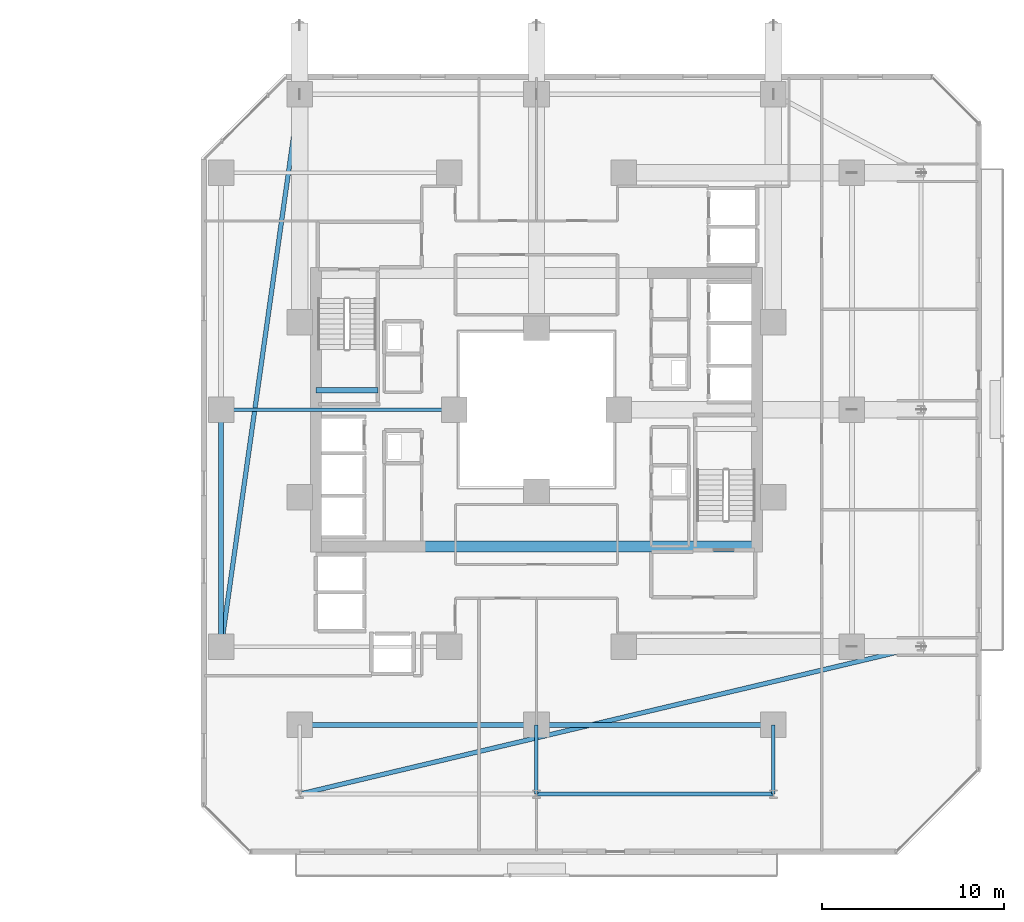
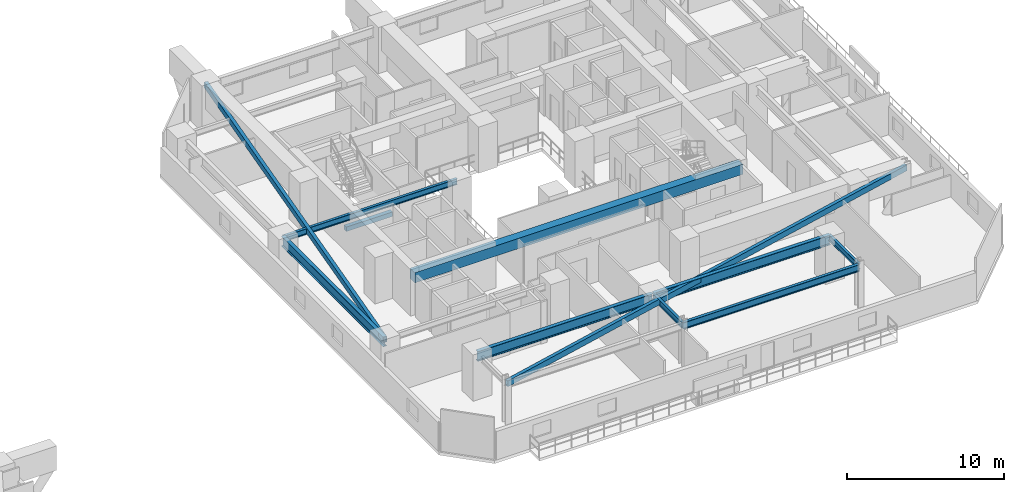
# One storey, part 11 of 36: 11 beams.
"""IFC4 building model written with IfcOpenShell, lengths in metres."""

from ifc_helpers import new_model, si_unit, direction, frame, origin, origin_2d, place, context, subcontext, project, spatial, rectangle, hollow_rectangle, i_section, extrude, material, material_profile, profile_set, type_object, element, save


model = new_model("IFC4")

# Units and contexts
model_context = context("Model", 3, precision=1e-05, world=origin(), true_north=direction((0.0, 1.0)))
body_context = subcontext(model_context, "Body", "Model", "MODEL_VIEW")
ifc_project = project(units=[si_unit("LENGTHUNIT", "METRE"), si_unit("AREAUNIT", "SQUARE_METRE"), si_unit("VOLUMEUNIT", "CUBIC_METRE"), si_unit("PLANEANGLEUNIT", "RADIAN"), si_unit("MASSUNIT", "GRAM", prefix="KILO")], contexts=[model_context])

# Site, building, storey
site_placement = place(None, origin())
site = spatial("IfcSite", under=ifc_project, at=site_placement, CompositionType="ELEMENT")
building_placement = place(site_placement, origin())
building = spatial("IfcBuilding", under=site, at=building_placement, Name="Thornwick Lancets Civic Towers", CompositionType="ELEMENT")
storey_placement = place(building_placement, frame((0.0, 0.0, 45.89990234375)))
storey = spatial("IfcBuildingStorey", under=building, at=storey_placement, Name="L11", CompositionType="ELEMENT", Elevation=45.89990234375)

# Beams
ifc_material_1 = material(Name="Concrete C60/75", Category="concrete")
ifc_material_profile_1 = material_profile(ifc_material_1, rectangle(XDim=0.60009765625, YDim=0.800048828125, at=origin_2d()), Name="RC 600x800")
ifc_profile_set_1 = profile_set([ifc_material_profile_1], Name="Concrete C60/75")
beam_type_1 = type_object("IfcBeamType", Name="BM_COUP_RC800", PredefinedType="BEAM", material=ifc_profile_set_1)
beam_1_placement = place(storey_placement, frame((76.39990234375, 19.5, 2.880126953125), z_axis=(1.0, 0.0, 0.0), x_axis=(0.0, 1.0, 0.0)))
element("IfcBeam", 1, at=beam_1_placement, inside=storey, type_object=beam_type_1, Name="CB-L11-B2", PredefinedType="BEAM", context=body_context, shape_type="SweptSolid", body=[
    extrude(rectangle(XDim=0.60009765625, YDim=0.800048828125, at=origin_2d()), origin(), (0.0, 0.0, 1.0), 24.2001953125),
])
ifc_material_2 = material(Name="Steel S355JR", Category="steel")
ifc_material_profile_2 = material_profile(ifc_material_2, i_section(OverallWidth=0.2119140625, OverallDepth=0.54443359375, WebThickness=0.0126953125, FlangeThickness=0.021240234375, FilletRadius=0.0126953125, at=origin_2d()), Name="UKB 533x210x122")
ifc_profile_set_2 = profile_set([ifc_material_profile_2], Name="Steel S355JR")
beam_type_2 = type_object("IfcBeamType", Name="BM_EDGE_533_122", PredefinedType="SPANDREL", material=ifc_profile_set_2)
beam_2_placement = place(storey_placement, frame((101.5, 5.89990234375, 3.0078125), z_axis=(-1.0, 0.0, 0.0), x_axis=(0.0, -1.0, 0.0)))
element("IfcBeam", 2, at=beam_2_placement, inside=storey, type_object=beam_type_2, Name="BM-EDGE-L11-B-S3-1", PredefinedType="SPANDREL", context=body_context, shape_type="SweptSolid", body=[
    extrude(i_section(OverallWidth=0.2119140625, OverallDepth=0.54443359375, WebThickness=0.0126953125, FlangeThickness=0.021240234375, FilletRadius=0.0126953125, at=origin_2d()), origin(), (0.0, 0.0, 1.0), 13.0),
])
ifc_material_profile_3 = material_profile(ifc_material_2, i_section(OverallWidth=0.26806640625, OverallDepth=0.769775390625, WebThickness=0.015625, FlangeThickness=0.025390625, FilletRadius=0.0166015625, at=origin_2d()), Name="UKB 762x267x197")
ifc_profile_set_3 = profile_set([ifc_material_profile_3], Name="Steel S355JR")
beam_type_3 = type_object("IfcBeamType", Name="BM_GIRD_762_197", PredefinedType="BEAM", material=ifc_profile_set_3)
for number, where, z_axis, x_axis, name in (
    (3, (71.199951171875, 14.0, 2.895263671875), (0.0, 1.0, 0.0), (-1.0, 0.0, 0.0), "BM-SPINE-L11-B-6-7"),
    (4, (101.5, 9.699951171875, 2.895263671875), (-1.0, 0.0, 0.0), (0.0, -1.0, 0.0), "BM-SPINE-L11-B-9-10"),
):
    element("IfcBeam", number, at=place(storey_placement, frame(where, z_axis=z_axis, x_axis=x_axis)), inside=storey, type_object=beam_type_3, Name=name, PredefinedType="BEAM", context=body_context, shape_type="SweptSolid", body=[
        extrude(i_section(OverallWidth=0.26806640625, OverallDepth=0.769775390625, WebThickness=0.015625, FlangeThickness=0.025390625, FilletRadius=0.0166015625, at=origin_2d()), origin(), (0.0, 0.0, 1.0), 13.0),
    ])
beam_3_placement = place(storey_placement, frame((88.419921875, 9.699951171875, 2.895263671875), z_axis=(-1.0, 0.0, 0.0), x_axis=(0.0, -1.0, 0.0)))
element("IfcBeam", 5, at=beam_3_placement, inside=storey, type_object=beam_type_3, Name="BM-SPINE-L11-B-10-11", PredefinedType="BEAM", context=body_context, shape_type="SweptSolid", body=[
    extrude(i_section(OverallWidth=0.26806640625, OverallDepth=0.769775390625, WebThickness=0.015625, FlangeThickness=0.025390625, FilletRadius=0.0166015625, at=origin_2d()), origin(), (0.0, 0.0, 1.0), 12.919921875),
])
ifc_material_profile_4 = material_profile(ifc_material_2, i_section(OverallWidth=0.19189453125, OverallDepth=0.46337890625, WebThickness=0.010498046875, FlangeThickness=0.017578125, FilletRadius=0.01025390625, at=origin_2d()), Name="UKB 457x191x89")
ifc_profile_set_4 = profile_set([ifc_material_profile_4], Name="Steel S355JR")
beam_type_4 = type_object("IfcBeamType", Name="BM_JOIST_457_89", PredefinedType="JOIST", material=ifc_profile_set_4)
beam_4_placement = place(storey_placement, frame((84.0, 27.0, 3.04833984375), z_axis=(-1.0, 0.0, 0.0), x_axis=(0.0, -1.0, 0.0)))
element("IfcBeam", 6, at=beam_4_placement, inside=storey, type_object=beam_type_4, Name="BM-RADIN-L11-B08", PredefinedType="JOIST", context=body_context, shape_type="SweptSolid", body=[
    extrude(i_section(OverallWidth=0.19189453125, OverallDepth=0.46337890625, WebThickness=0.010498046875, FlangeThickness=0.017578125, FilletRadius=0.01025390625, at=origin_2d()), origin(), (0.0, 0.0, 1.0), 12.800048828125),
])
for number, where, z_axis, x_axis, name in (
    (7, (101.5, 9.699951171875, 3.04833984375), (0.0, -1.0, 0.0), (1.0, 0.0, 0.0), "BM-RAD-L11-B10"),
    (8, (88.5, 9.699951171875, 3.04833984375), (0.0, -1.0, 0.0), (1.0, 0.0, 0.0), "BM-RAD-L11-B11"),
):
    element("IfcBeam", number, at=place(storey_placement, frame(where, z_axis=z_axis, x_axis=x_axis)), inside=storey, type_object=beam_type_4, Name=name, PredefinedType="JOIST", context=body_context, shape_type="SweptSolid", body=[
        extrude(i_section(OverallWidth=0.19189453125, OverallDepth=0.46337890625, WebThickness=0.010498046875, FlangeThickness=0.017578125, FilletRadius=0.01025390625, at=origin_2d()), origin(), (0.0, 0.0, 1.0), 3.800048828125),
    ])
ifc_material_profile_5 = material_profile(ifc_material_2, hollow_rectangle(XDim=0.25, YDim=0.449951171875, WallThickness=0.01611328125, at=origin_2d()), Name="RHS 450x250x16")
ifc_profile_set_5 = profile_set([ifc_material_profile_5], Name="Steel S355JR")
beam_type_5 = type_object("IfcBeamType", Name="BM_RING_RHS450", PredefinedType="BEAM", material=ifc_profile_set_5)
beam_5_placement = place(storey_placement, frame((75.5, 44.300048828125, 3.05517578125), z_axis=(-0.140507712682, -0.990079584012, 0.0), x_axis=(0.990079584012, -0.140507712682, 0.0)))
element("IfcBeam", 9, at=beam_5_placement, inside=storey, type_object=beam_type_5, Name="BM-CHAMF-L11-B-C1", PredefinedType="BEAM", context=body_context, shape_type="SweptSolid", body=[
    extrude(hollow_rectangle(XDim=0.25, YDim=0.449951171875, WallThickness=0.01611328125, at=origin_2d()), origin(), (0.0, 0.0, 1.0), 30.603759765625),
])
beam_6_placement = place(storey_placement, frame((75.5, 5.89990234375, 3.05517578125), z_axis=(0.972928054394, 0.231108201875, 0.0), x_axis=(-0.231108201875, 0.972928054394, 0.0)))
element("IfcBeam", 10, at=beam_6_placement, inside=storey, type_object=beam_type_5, Name="BM-CHAMF-L11-B-C3", PredefinedType="BEAM", context=body_context, shape_type="SweptSolid", body=[
    extrude(hollow_rectangle(XDim=0.25, YDim=0.449951171875, WallThickness=0.01611328125, at=origin_2d()), origin(), (0.0, 0.0, 1.0), 35.048828125),
])
ifc_material_3 = material(Name="Concrete C40/50", Category="concrete")
ifc_material_profile_6 = material_profile(ifc_material_3, rectangle(XDim=0.300048828125, YDim=0.35009765625, at=origin_2d()), Name="RC 300x350")
ifc_profile_set_6 = profile_set([ifc_material_profile_6], Name="Concrete C40/50")
beam_type_6 = type_object("IfcBeamType", Name="BM_STAIR_LDG", PredefinedType="BEAM", material=ifc_profile_set_6)
beam_7_placement = place(storey_placement, frame((76.39990234375, 28.06494140625, 1.378173828125), z_axis=(1.0, 0.0, 0.0), x_axis=(0.0, 1.0, 0.0)))
element("IfcBeam", 11, at=beam_7_placement, inside=storey, type_object=beam_type_6, Name="L11 ST-B2 Landing Support Beam 1", PredefinedType="BEAM", context=body_context, shape_type="SweptSolid", body=[
    extrude(rectangle(XDim=0.300048828125, YDim=0.35009765625, at=origin_2d()), origin(), (0.0, 0.0, 1.0), 3.400146484375),
])

save(model, "model.ifc")
